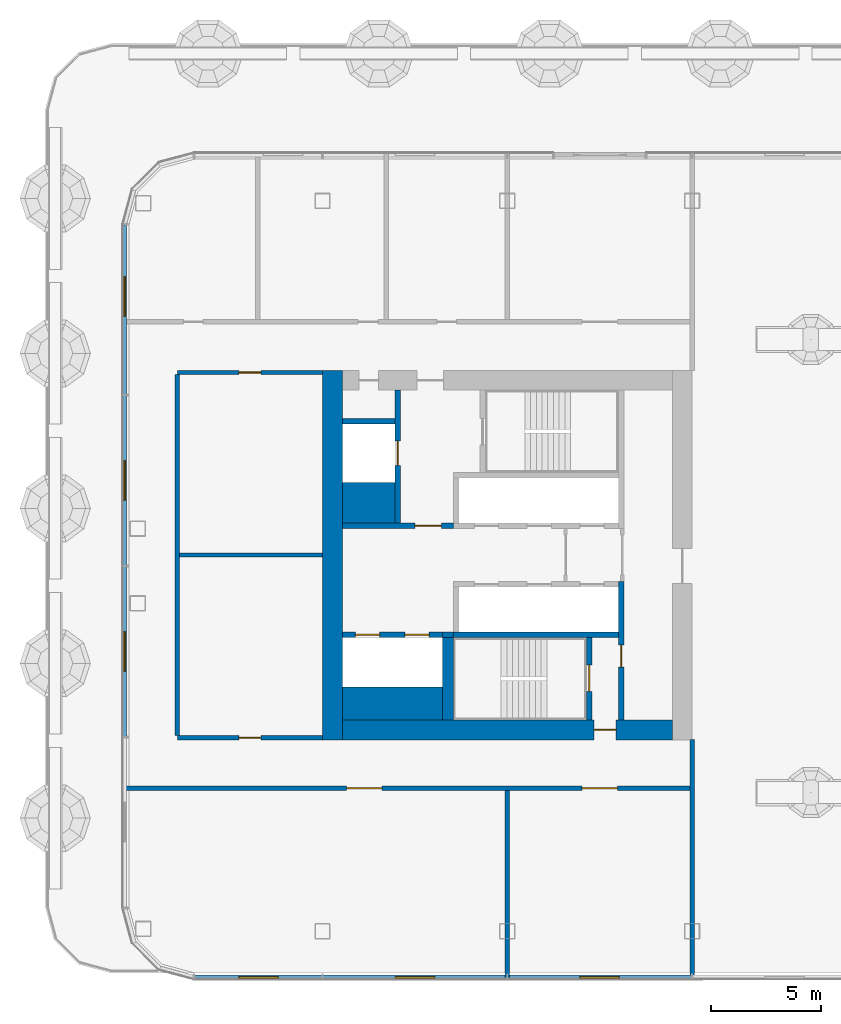
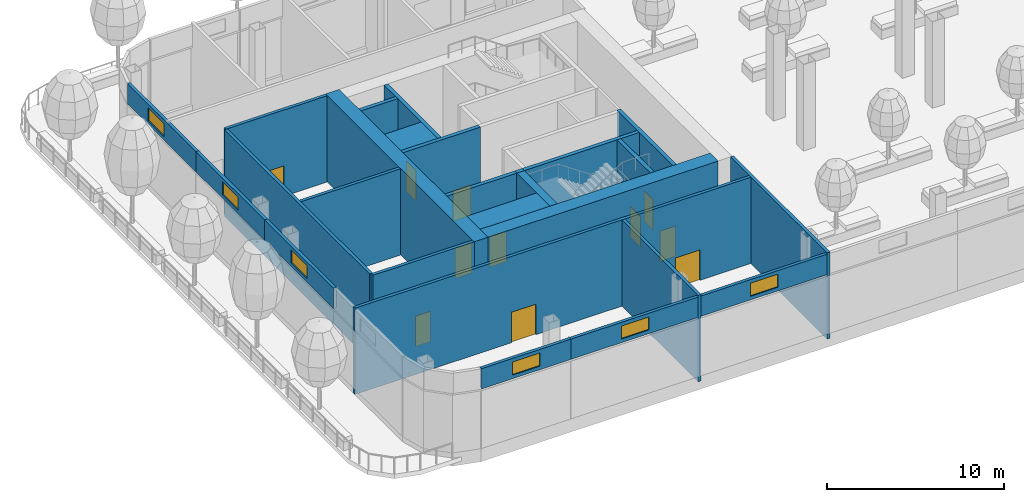
# One storey, part 12 of 43: 26 walls, 11 doors, 6 windows, 17 openings, 2 elements without a shape of their own.
"""IFC4 building model written with IfcOpenShell, lengths in metres."""

from ifc_helpers import new_model, si_unit, direction, frame, frame_2d, origin, place, context, subcontext, project, spatial, rectangle, extrude, material, layer, layer_set, type_object, element, fill, aggregate, save


model = new_model("IFC4")

# Units and contexts
model_context = context("Model", 3, precision=1e-05, world=origin(), true_north=direction((0.0, 1.0)))
body_context = subcontext(model_context, "Body", "Model", "MODEL_VIEW")
ifc_project = project(units=[si_unit("LENGTHUNIT", "METRE"), si_unit("AREAUNIT", "SQUARE_METRE"), si_unit("VOLUMEUNIT", "CUBIC_METRE"), si_unit("PLANEANGLEUNIT", "RADIAN"), si_unit("MASSUNIT", "GRAM", prefix="KILO")], contexts=[model_context])

# Site, building, storey
site_placement = place(None, origin())
site = spatial("IfcSite", under=ifc_project, at=site_placement, CompositionType="ELEMENT")
building_placement = place(site_placement, origin())
building = spatial("IfcBuilding", under=site, at=building_placement, Name="Hakoniwa Tower and Hamabe Station Hall", CompositionType="ELEMENT")
storey_placement = place(building_placement, frame((0.0, 0.0, 124.60009765625)))
storey = spatial("IfcBuildingStorey", under=building, at=storey_placement, Name="L35", CompositionType="ELEMENT", Elevation=124.60009765625)

# Wall
ifc_material_1 = material(Name="Concrete C66", Category="concrete")
ifc_layer_1 = layer(ifc_material_1, 0.89990234375)
ifc_layer_set_1 = layer_set([ifc_layer_1], Name="CORE WALL 900 C66")
wall_type_1 = type_object("IfcWallType", Name="CORE WALL 900 C66", PredefinedType="SHEAR", material=ifc_layer_set_1)
wall_1_placement = place(storey_placement, frame((-33.14990234375, -8.39990234375, 0.0), z_axis=(0.0, 0.0, 1.0), x_axis=(0.0, 1.0, 0.0)))
element("IfcWall", 1, at=wall_1_placement, inside=storey, type_object=wall_type_1, Name="Core wall OUTER west", PredefinedType="SHEAR", context=body_context, shape_type="SweptSolid", body=[
    extrude(rectangle(XDim=16.7998046875, YDim=0.89990234375, at=frame_2d((8.39990234375, 0.0))), origin(), (0.0, 0.0, 1.0), 5.949951171875),
])

# Wall, opening, door
wall_2_placement = place(storey_placement, frame((-32.699951171875, -7.949951171875, 0.0), z_axis=(0.0, 0.0, 1.0), x_axis=(1.0, 0.0, 0.0)))
wall_2 = element("IfcWall", 2, at=wall_2_placement, inside=storey, type_object=wall_type_1, Name="Core wall SOUTH west", PredefinedType="SHEAR", context=body_context, shape_type="SweptSolid", body=[
    extrude(rectangle(XDim=15.0, YDim=0.89990234375, at=frame_2d((7.5, 0.0))), origin(), (0.0, 0.0, 1.0), 5.949951171875),
])
opening_1_placement = place(wall_2_placement, frame((11.449951171875, 0.0, 0.0)))
opening_1 = element("IfcOpeningElement", 3, at=opening_1_placement, cuts=wall_2, Name="Opening CD-W-FS3-10", PredefinedType="OPENING", context=body_context, shape_type="SweptSolid", body=[
    extrude(rectangle(XDim=1.0, YDim=2.10009765625, at=frame_2d((0.5, 1.050048828125))), frame((0.0, 0.4599609375, 0.0), z_axis=(0.0, -1.0, 0.0), x_axis=(1.0, 0.0, 0.0)), (0.0, 0.0, 1.0), 0.919921875),
])
ifc_material_2 = material(Name="Steel fire door", Category="steel")
door_type_1 = type_object("IfcDoorType", Name="CORE DOOR 1000 FD60", OperationType="NOTDEFINED", PredefinedType="DOOR", material=ifc_material_2)
door_1_placement = place(opening_1_placement, origin())
door_1 = element("IfcDoor", 4, at=door_1_placement, inside=storey, type_object=door_type_1, Name="Stair vestibule door", OperationType="SINGLE_SWING_LEFT", OverallHeight=2.10009765625, OverallWidth=1.0, PredefinedType="DOOR", context=body_context, shape_type="SweptSolid", body=[
    extrude(rectangle(XDim=1.0, YDim=2.10009765625, at=frame_2d((0.5, 1.050048828125))), frame((0.0, 0.02490234375, 0.0), z_axis=(0.0, -1.0, 0.0), x_axis=(1.0, 0.0, 0.0)), (0.0, 0.0, 1.0), 0.050048828125),
])
fill(opening_1, door_1)

# Walls
ifc_material_3 = material(Name="Concrete C66", Category="concrete")
ifc_layer_2 = layer(ifc_material_3, 1.5)
ifc_layer_set_2 = layer_set([ifc_layer_2], Name="CORE WEB WALL 1500 C66")
wall_type_2 = type_object("IfcWallType", Name="CORE WEB WALL 1500 C66", PredefinedType="SHEAR", material=ifc_layer_set_2)
wall_3_placement = place(storey_placement, frame((-32.699951171875, -6.75, 0.0), z_axis=(0.0, 0.0, 1.0), x_axis=(1.0, 0.0, 0.0)))
element("IfcWall", 5, at=wall_3_placement, inside=storey, type_object=wall_type_2, Name="Core wall SER west", PredefinedType="SHEAR", context=body_context, shape_type="SweptSolid", body=[
    extrude(rectangle(XDim=4.550048828125, YDim=1.5, at=frame_2d((2.27490234375, 0.0))), origin(), (0.0, 0.0, 1.0), 5.949951171875),
])
ifc_material_4 = material(Name="Concrete C66", Category="concrete")
ifc_layer_3 = layer(ifc_material_4, 1.85009765625)
ifc_layer_set_3 = layer_set([ifc_layer_3], Name="CORE WEB WALL 1850 C66")
wall_type_3 = type_object("IfcWallType", Name="CORE WEB WALL 1850 C66", PredefinedType="SHEAR", material=ifc_layer_set_3)
wall_4_placement = place(storey_placement, frame((-32.699951171875, 2.375, 0.0), z_axis=(0.0, 0.0, 1.0), x_axis=(1.0, 0.0, 0.0)))
element("IfcWall", 6, at=wall_4_placement, inside=storey, type_object=wall_type_3, Name="Core wall CA west", PredefinedType="SHEAR", context=body_context, shape_type="SweptSolid", body=[
    extrude(rectangle(XDim=2.39990234375, YDim=1.85009765625, at=frame_2d((1.199951171875, 0.0))), origin(), (0.0, 0.0, 1.0), 5.949951171875),
])

# Wall, opening, door
ifc_material_5 = material(Name="Concrete C66", Category="concrete")
ifc_layer_4 = layer(ifc_material_5, 0.25)
ifc_layer_set_4 = layer_set([ifc_layer_4], Name="CORE WEB WALL 250 C66")
wall_type_4 = type_object("IfcWallType", Name="CORE WEB WALL 250 C66", PredefinedType="SHEAR", material=ifc_layer_set_4)
wall_5_placement = place(storey_placement, frame((-20.02490234375, -7.5, 0.0), z_axis=(0.0, 0.0, 1.0), x_axis=(0.0, 1.0, 0.0)))
wall_5 = element("IfcWall", 7, at=wall_5_placement, inside=storey, type_object=wall_type_4, Name="Core wall W1S west", PredefinedType="SHEAR", context=body_context, shape_type="SweptSolid", body=[
    extrude(rectangle(XDim=6.300048828125, YDim=0.25, at=frame_2d((3.14990234375, 0.0))), origin(), (0.0, 0.0, 1.0), 5.949951171875),
])
opening_2_placement = place(wall_5_placement, frame((2.39990234375, 0.0, 0.0)))
opening_2 = element("IfcOpeningElement", 8, at=opening_2_placement, cuts=wall_5, Name="Opening CD-W-VS-10", PredefinedType="OPENING", context=body_context, shape_type="SweptSolid", body=[
    extrude(rectangle(XDim=1.0, YDim=2.10009765625, at=frame_2d((0.5, 1.050048828125))), frame((0.0, 0.135009765625, 0.0), z_axis=(0.0, -1.0, 0.0), x_axis=(1.0, 0.0, 0.0)), (0.0, 0.0, 1.0), 0.27001953125),
])
door_2_placement = place(opening_2_placement, origin())
door_2 = element("IfcDoor", 9, at=door_2_placement, inside=storey, type_object=door_type_1, Name="Stair vestibule door", OperationType="SINGLE_SWING_LEFT", OverallHeight=2.10009765625, OverallWidth=1.0, PredefinedType="DOOR", context=body_context, shape_type="SweptSolid", body=[
    extrude(rectangle(XDim=1.0, YDim=2.10009765625, at=frame_2d((0.5, 1.050048828125))), frame((0.0, 0.02490234375, 0.0), z_axis=(0.0, -1.0, 0.0), x_axis=(1.0, 0.0, 0.0)), (0.0, 0.0, 1.0), 0.050048828125),
])
fill(opening_2, door_2)

wall_6_placement = place(storey_placement, frame((-32.699951171875, 1.324951171875, 0.0), z_axis=(0.0, 0.0, 1.0), x_axis=(1.0, 0.0, 0.0)))
wall_6 = element("IfcWall", 10, at=wall_6_placement, inside=storey, type_object=wall_type_4, Name="Core wall ELN west", PredefinedType="SHEAR", context=body_context, shape_type="SweptSolid", body=[
    extrude(rectangle(XDim=5.050048828125, YDim=0.25, at=frame_2d((2.52490234375, 0.0))), origin(), (0.0, 0.0, 1.0), 5.949951171875),
])
opening_3_placement = place(wall_6_placement, frame((3.300048828125, 0.0, 0.0)))
opening_3 = element("IfcOpeningElement", 11, at=opening_3_placement, cuts=wall_6, Name="Opening CD-W-FL-12", PredefinedType="OPENING", context=body_context, shape_type="SweptSolid", body=[
    extrude(rectangle(XDim=1.199951171875, YDim=2.10009765625, at=frame_2d((0.60009765625, 1.050048828125))), frame((0.0, 0.135009765625, 0.0), z_axis=(0.0, -1.0, 0.0), x_axis=(1.0, 0.0, 0.0)), (0.0, 0.0, 1.0), 0.27001953125),
])
ifc_material_6 = material(Name="Steel fire door", Category="steel")
door_type_2 = type_object("IfcDoorType", Name="CORE DOOR 1200 FD60", OperationType="DOUBLE_DOOR_SINGLE_SWING", PredefinedType="DOOR", material=ifc_material_6)
door_3_placement = place(opening_3_placement, origin())
door_3 = element("IfcDoor", 12, at=door_3_placement, inside=storey, type_object=door_type_2, Name="Stair vestibule door to the fire-fighting lobby", OperationType="DOUBLE_DOOR_SINGLE_SWING", OverallHeight=2.10009765625, OverallWidth=1.199951171875, PredefinedType="DOOR", context=body_context, shape_type="SweptSolid", body=[
    extrude(rectangle(XDim=1.199951171875, YDim=2.10009765625, at=frame_2d((0.60009765625, 1.050048828125))), frame((0.0, 0.02490234375, 0.0), z_axis=(0.0, -1.0, 0.0), x_axis=(1.0, 0.0, 0.0)), (0.0, 0.0, 1.0), 0.050048828125),
])
fill(opening_3, door_3)

wall_7_placement = place(storey_placement, frame((-30.175048828125, 1.449951171875, 0.0), z_axis=(0.0, 0.0, 1.0), x_axis=(0.0, 1.0, 0.0)))
wall_7 = element("IfcWall", 13, at=wall_7_placement, inside=storey, type_object=wall_type_4, Name="Core wall FFF west", PredefinedType="SHEAR", context=body_context, shape_type="SweptSolid", body=[
    extrude(rectangle(XDim=6.050048828125, YDim=0.25, at=frame_2d((3.02490234375, 0.0))), origin(), (0.0, 0.0, 1.0), 5.949951171875),
])
opening_4_placement = place(wall_7_placement, frame((2.625, 0.0, 0.0)))
opening_4 = element("IfcOpeningElement", 14, at=opening_4_placement, cuts=wall_7, Name="Opening LD-FF1", PredefinedType="OPENING", context=body_context, shape_type="SweptSolid", body=[
    extrude(rectangle(XDim=1.10009765625, YDim=2.10009765625, at=frame_2d((0.550048828125, 1.050048828125))), frame((0.0, 0.135009765625, 0.0), z_axis=(0.0, -1.0, 0.0), x_axis=(1.0, 0.0, 0.0)), (0.0, 0.0, 1.0), 0.27001953125),
])
ifc_material_7 = material(Name="Stainless steel SUS304", Category="steel")
door_type_3 = type_object("IfcDoorType", Name="LIFT LANDING DOOR 1100 FD60", OperationType="DOUBLE_DOOR_SLIDING", PredefinedType="DOOR", material=ifc_material_7)
door_4_placement = place(opening_4_placement, origin())
door_4 = element("IfcDoor", 15, at=door_4_placement, inside=storey, type_object=door_type_3, Name="Lift landing door FF1 L35", OperationType="DOUBLE_DOOR_SLIDING", OverallHeight=2.10009765625, OverallWidth=1.10009765625, PredefinedType="DOOR", context=body_context, shape_type="SweptSolid", body=[
    extrude(rectangle(XDim=1.10009765625, YDim=2.10009765625, at=frame_2d((0.550048828125, 1.050048828125))), frame((0.0, 0.02490234375, 0.0), z_axis=(0.0, -1.0, 0.0), x_axis=(1.0, 0.0, 0.0)), (0.0, 0.0, 1.0), 0.050048828125),
])
fill(opening_4, door_4)

# Walls
wall_8_placement = place(storey_placement, frame((-32.699951171875, 6.074951171875, 0.0), z_axis=(0.0, 0.0, 1.0), x_axis=(1.0, 0.0, 0.0)))
element("IfcWall", 16, at=wall_8_placement, inside=storey, type_object=wall_type_4, Name="Core wall C2 west", PredefinedType="SHEAR", context=body_context, shape_type="SweptSolid", body=[
    extrude(rectangle(XDim=2.39990234375, YDim=0.25, at=frame_2d((1.199951171875, 0.0))), origin(), (0.0, 0.0, 1.0), 5.949951171875),
])
wall_9_placement = place(storey_placement, frame((-27.64990234375, -3.625, 0.0), z_axis=(0.0, 0.0, 1.0), x_axis=(1.0, 0.0, 0.0)))
element("IfcWall", 17, at=wall_9_placement, inside=storey, type_object=wall_type_4, Name="Core wall SR west", PredefinedType="SHEAR", context=body_context, shape_type="SweptSolid", body=[
    extrude(rectangle(XDim=7.5, YDim=0.25, at=frame_2d((3.75, 0.0))), origin(), (0.0, 0.0, 1.0), 5.949951171875),
])

# Wall, opening, door
wall_10_placement = place(storey_placement, frame((-21.47509765625, -7.5, 0.0), z_axis=(0.0, 0.0, 1.0), x_axis=(0.0, 1.0, 0.0)))
wall_10 = element("IfcWall", 18, at=wall_10_placement, inside=storey, type_object=wall_type_4, Name="Core wall VE west", PredefinedType="SHEAR", context=body_context, shape_type="SweptSolid", body=[
    extrude(rectangle(XDim=3.75, YDim=0.25, at=frame_2d((1.875, 0.0))), origin(), (0.0, 0.0, 1.0), 5.949951171875),
])
opening_5_placement = place(wall_10_placement, frame((1.300048828125, 0.0, 0.0)))
opening_5 = element("IfcOpeningElement", 19, at=opening_5_placement, cuts=wall_10, Name="Opening CD-W-SS-12", PredefinedType="OPENING", context=body_context, shape_type="SweptSolid", body=[
    extrude(rectangle(XDim=1.199951171875, YDim=2.10009765625, at=frame_2d((0.60009765625, 1.050048828125))), frame((0.0, 0.135009765625, 0.0), z_axis=(0.0, -1.0, 0.0), x_axis=(1.0, 0.0, 0.0)), (0.0, 0.0, 1.0), 0.27001953125),
])
door_5_placement = place(opening_5_placement, origin())
door_5 = element("IfcDoor", 20, at=door_5_placement, inside=storey, type_object=door_type_2, Name="Escape stair door", OperationType="DOUBLE_DOOR_SINGLE_SWING", OverallHeight=2.10009765625, OverallWidth=1.199951171875, PredefinedType="DOOR", context=body_context, shape_type="SweptSolid", body=[
    extrude(rectangle(XDim=1.199951171875, YDim=2.10009765625, at=frame_2d((0.60009765625, 1.050048828125))), frame((0.0, 0.02490234375, 0.0), z_axis=(0.0, -1.0, 0.0), x_axis=(1.0, 0.0, 0.0)), (0.0, 0.0, 1.0), 0.050048828125),
])
fill(opening_5, door_5)

# Wall, openings, doors
wall_11_placement = place(storey_placement, frame((-32.699951171875, -3.625, 0.0), z_axis=(0.0, 0.0, 1.0), x_axis=(1.0, 0.0, 0.0)))
wall_11 = element("IfcWall", 21, at=wall_11_placement, inside=storey, type_object=wall_type_4, Name="Core wall SEF west", PredefinedType="SHEAR", context=body_context, shape_type="SweptSolid", body=[
    extrude(rectangle(XDim=4.550048828125, YDim=0.25, at=frame_2d((2.27490234375, 0.0))), origin(), (0.0, 0.0, 1.0), 5.949951171875),
])
opening_6_placement = place(wall_11_placement, frame((2.85009765625, 0.0, 0.0)))
opening_6 = element("IfcOpeningElement", 22, at=opening_6_placement, cuts=wall_11, Name="Opening LD-SV1", PredefinedType="OPENING", context=body_context, shape_type="SweptSolid", body=[
    extrude(rectangle(XDim=1.10009765625, YDim=2.10009765625, at=frame_2d((0.550048828125, 1.050048828125))), frame((0.0, 0.135009765625, 0.0), z_axis=(0.0, -1.0, 0.0), x_axis=(1.0, 0.0, 0.0)), (0.0, 0.0, 1.0), 0.27001953125),
])
opening_7_placement = place(wall_11_placement, frame((0.60009765625, 0.0, 0.0)))
opening_7 = element("IfcOpeningElement", 23, at=opening_7_placement, cuts=wall_11, Name="Opening LD-SV2", PredefinedType="OPENING", context=body_context, shape_type="SweptSolid", body=[
    extrude(rectangle(XDim=1.10009765625, YDim=2.10009765625, at=frame_2d((0.550048828125, 1.050048828125))), frame((0.0, 0.135009765625, 0.0), z_axis=(0.0, -1.0, 0.0), x_axis=(1.0, 0.0, 0.0)), (0.0, 0.0, 1.0), 0.27001953125),
])
door_6_placement = place(opening_6_placement, origin())
door_6 = element("IfcDoor", 24, at=door_6_placement, inside=storey, type_object=door_type_3, Name="Lift landing door SV1 L35", OperationType="DOUBLE_DOOR_SLIDING", OverallHeight=2.10009765625, OverallWidth=1.10009765625, PredefinedType="DOOR", context=body_context, shape_type="SweptSolid", body=[
    extrude(rectangle(XDim=1.10009765625, YDim=2.10009765625, at=frame_2d((0.550048828125, 1.050048828125))), frame((0.0, 0.02490234375, 0.0), z_axis=(0.0, -1.0, 0.0), x_axis=(1.0, 0.0, 0.0)), (0.0, 0.0, 1.0), 0.050048828125),
])
fill(opening_6, door_6)
door_7_placement = place(opening_7_placement, origin())
door_7 = element("IfcDoor", 25, at=door_7_placement, inside=storey, type_object=door_type_3, Name="Lift landing door SV2 L35", OperationType="DOUBLE_DOOR_SLIDING", OverallHeight=2.10009765625, OverallWidth=1.10009765625, PredefinedType="DOOR", context=body_context, shape_type="SweptSolid", body=[
    extrude(rectangle(XDim=1.10009765625, YDim=2.10009765625, at=frame_2d((0.550048828125, 1.050048828125))), frame((0.0, 0.02490234375, 0.0), z_axis=(0.0, -1.0, 0.0), x_axis=(1.0, 0.0, 0.0)), (0.0, 0.0, 1.0), 0.050048828125),
])
fill(opening_7, door_7)

# Walls
wall_12_placement = place(storey_placement, frame((-28.14990234375, -3.625, 0.0), z_axis=(0.0, 0.0, 1.0), x_axis=(1.0, 0.0, 0.0)))
element("IfcWall", 26, at=wall_12_placement, inside=storey, type_object=wall_type_4, Name="Core wall SRK west", PredefinedType="SHEAR", context=body_context, shape_type="SweptSolid", body=[
    extrude(rectangle(XDim=0.5, YDim=0.25, at=frame_2d((0.25, 0.0))), origin(), (0.0, 0.0, 1.0), 5.949951171875),
])
ifc_material_8 = material(Name="Concrete C66", Category="concrete")
ifc_layer_5 = layer(ifc_material_8, 0.5)
ifc_layer_set_5 = layer_set([ifc_layer_5], Name="CORE WEB WALL 500 C66")
wall_type_5 = type_object("IfcWallType", Name="CORE WEB WALL 500 C66", PredefinedType="SHEAR", material=ifc_layer_set_5)
wall_13_placement = place(storey_placement, frame((-27.89990234375, -7.5, 0.0), z_axis=(0.0, 0.0, 1.0), x_axis=(0.0, 1.0, 0.0)))
element("IfcWall", 27, at=wall_13_placement, inside=storey, type_object=wall_type_5, Name="Core wall SSE west", PredefinedType="SHEAR", context=body_context, shape_type="SweptSolid", body=[
    extrude(rectangle(XDim=3.75, YDim=0.5, at=frame_2d((1.875, 0.0))), origin(), (0.0, 0.0, 1.0), 5.949951171875),
])

# Wall, openings, doors
ifc_material_9 = material(Name="Fire-rated gypsum board partition", Category="gypsum")
ifc_layer_6 = layer(ifc_material_9, 0.199951171875)
ifc_layer_set_6 = layer_set([ifc_layer_6], Name="Corridor Wall 200")
wall_type_6 = type_object("IfcWallType", Name="Corridor Wall 200", PredefinedType="PARTITIONING", material=ifc_layer_set_6)
wall_14_placement = place(storey_placement, frame((-42.699951171875, -10.60009765625, 0.0), z_axis=(0.0, 0.0, 1.0), x_axis=(1.0, 0.0, 0.0)))
wall_14 = element("IfcWall", 28, at=wall_14_placement, inside=storey, type_object=wall_type_6, Name="GW-L35-001", PredefinedType="PARTITIONING", context=body_context, shape_type="SweptSolid", body=[
    extrude(rectangle(XDim=25.89990234375, YDim=0.199951171875, at=frame_2d((12.949951171875, 0.0))), origin(), (0.0, 0.0, 1.0), 5.949951171875),
])
opening_8_placement = place(wall_14_placement, frame((10.199951171875, 0.0, 0.0)))
opening_8 = element("IfcOpeningElement", 29, at=opening_8_placement, cuts=wall_14, Name="Opening GD-SL35-01", PredefinedType="OPENING", context=body_context, shape_type="SweptSolid", body=[
    extrude(rectangle(XDim=1.60009765625, YDim=2.10009765625, at=frame_2d((0.800048828125, 1.050048828125))), frame((0.0, 0.10986328125, 0.0), z_axis=(0.0, -1.0, 0.0), x_axis=(1.0, 0.0, 0.0)), (0.0, 0.0, 1.0), 0.219970703125),
])
opening_9_placement = place(wall_14_placement, frame((20.89990234375, 0.0, 0.0)))
opening_9 = element("IfcOpeningElement", 30, at=opening_9_placement, cuts=wall_14, Name="Opening GD-SL35-02", PredefinedType="OPENING", context=body_context, shape_type="SweptSolid", body=[
    extrude(rectangle(XDim=1.60009765625, YDim=2.10009765625, at=frame_2d((0.800048828125, 1.050048828125))), frame((0.0, 0.10986328125, 0.0), z_axis=(0.0, -1.0, 0.0), x_axis=(1.0, 0.0, 0.0)), (0.0, 0.0, 1.0), 0.219970703125),
])
ifc_material_10 = material(Name="Timber door leaf", Category="wood")
door_type_4 = type_object("IfcDoorType", Name="Double Door 1600", OperationType="DOUBLE_DOOR_SINGLE_SWING", PredefinedType="DOOR", material=ifc_material_10)
door_8_placement = place(opening_8_placement, origin())
door_8 = element("IfcDoor", 31, at=door_8_placement, inside=storey, type_object=door_type_4, Name="Door GD-SL35-01", OperationType="DOUBLE_DOOR_SINGLE_SWING", OverallHeight=2.10009765625, OverallWidth=1.60009765625, PredefinedType="DOOR", context=body_context, shape_type="SweptSolid", body=[
    extrude(rectangle(XDim=1.60009765625, YDim=2.10009765625, at=frame_2d((0.800048828125, 1.050048828125))), frame((0.0, 0.02490234375, 0.0), z_axis=(0.0, -1.0, 0.0), x_axis=(1.0, 0.0, 0.0)), (0.0, 0.0, 1.0), 0.050048828125),
])
fill(opening_8, door_8)
door_9_placement = place(opening_9_placement, origin())
door_9 = element("IfcDoor", 32, at=door_9_placement, inside=storey, type_object=door_type_4, Name="Door GD-SL35-02", OperationType="DOUBLE_DOOR_SINGLE_SWING", OverallHeight=2.10009765625, OverallWidth=1.60009765625, PredefinedType="DOOR", context=body_context, shape_type="SweptSolid", body=[
    extrude(rectangle(XDim=1.60009765625, YDim=2.10009765625, at=frame_2d((0.800048828125, 1.050048828125))), frame((0.0, 0.02490234375, 0.0), z_axis=(0.0, -1.0, 0.0), x_axis=(1.0, 0.0, 0.0)), (0.0, 0.0, 1.0), 0.050048828125),
])
fill(opening_9, door_9)

# Wall, opening, door
wall_15_placement = place(storey_placement, frame((-40.199951171875, -8.300048828125, 0.0), z_axis=(0.0, 0.0, 1.0), x_axis=(1.0, 0.0, 0.0)))
wall_15 = element("IfcWall", 33, at=wall_15_placement, inside=storey, type_object=wall_type_6, Name="GW-L35-003", PredefinedType="PARTITIONING", context=body_context, shape_type="SweptSolid", body=[
    extrude(rectangle(XDim=6.599853515625, YDim=0.199951171875, at=frame_2d((3.2998046875, 0.0))), origin(), (0.0, 0.0, 1.0), 5.949951171875),
])
opening_10_placement = place(wall_15_placement, frame((2.800048828125, 0.0, 0.0)))
opening_10 = element("IfcOpeningElement", 34, at=opening_10_placement, cuts=wall_15, Name="Opening GD-SL35-07", PredefinedType="OPENING", context=body_context, shape_type="SweptSolid", body=[
    extrude(rectangle(XDim=1.0, YDim=2.10009765625, at=frame_2d((0.5, 1.050048828125))), frame((0.0, 0.10986328125, 0.0), z_axis=(0.0, -1.0, 0.0), x_axis=(1.0, 0.0, 0.0)), (0.0, 0.0, 1.0), 0.219970703125),
])
ifc_material_11 = material(Name="Timber door leaf", Category="wood")
door_type_5 = type_object("IfcDoorType", Name="Guest Entrance Door 1000", OperationType="SINGLE_SWING_LEFT", PredefinedType="DOOR", material=ifc_material_11)
door_10_placement = place(opening_10_placement, origin())
door_10 = element("IfcDoor", 35, at=door_10_placement, inside=storey, type_object=door_type_5, Name="Door GD-SL35-07", OperationType="SINGLE_SWING_RIGHT", OverallHeight=2.10009765625, OverallWidth=1.0, PredefinedType="DOOR", context=body_context, shape_type="SweptSolid", body=[
    extrude(rectangle(XDim=1.0, YDim=2.10009765625, at=frame_2d((0.5, 1.050048828125))), frame((0.0, 0.02490234375, 0.0), z_axis=(0.0, -1.0, 0.0), x_axis=(1.0, 0.0, 0.0)), (0.0, 0.0, 1.0), 0.050048828125),
])
fill(opening_10, door_10)

wall_16_placement = place(storey_placement, frame((-40.199951171875, 8.300048828125, 0.0), z_axis=(0.0, 0.0, 1.0), x_axis=(1.0, 0.0, 0.0)))
wall_16 = element("IfcWall", 36, at=wall_16_placement, inside=storey, type_object=wall_type_6, Name="GW-L35-007", PredefinedType="PARTITIONING", context=body_context, shape_type="SweptSolid", body=[
    extrude(rectangle(XDim=6.599853515625, YDim=0.199951171875, at=frame_2d((3.2998046875, 0.0))), origin(), (0.0, 0.0, 1.0), 5.949951171875),
])
opening_11_placement = place(wall_16_placement, frame((2.800048828125, 0.0, 0.0)))
opening_11 = element("IfcOpeningElement", 37, at=opening_11_placement, cuts=wall_16, Name="Opening GD-SL35-09", PredefinedType="OPENING", context=body_context, shape_type="SweptSolid", body=[
    extrude(rectangle(XDim=1.0, YDim=2.10009765625, at=frame_2d((0.5, 1.050048828125))), frame((0.0, 0.10986328125, 0.0), z_axis=(0.0, -1.0, 0.0), x_axis=(1.0, 0.0, 0.0)), (0.0, 0.0, 1.0), 0.219970703125),
])
door_11_placement = place(opening_11_placement, origin())
door_11 = element("IfcDoor", 38, at=door_11_placement, inside=storey, type_object=door_type_5, Name="Door GD-SL35-09", OperationType="SINGLE_SWING_LEFT", OverallHeight=2.10009765625, OverallWidth=1.0, PredefinedType="DOOR", context=body_context, shape_type="SweptSolid", body=[
    extrude(rectangle(XDim=1.0, YDim=2.10009765625, at=frame_2d((0.5, 1.050048828125))), frame((0.0, 0.02490234375, 0.0), z_axis=(0.0, -1.0, 0.0), x_axis=(1.0, 0.0, 0.0)), (0.0, 0.0, 1.0), 0.050048828125),
])
fill(opening_11, door_11)

# Walls
ifc_material_12 = material(Name="Fire-rated gypsum board partition", Category="gypsum")
ifc_layer_7 = layer(ifc_material_12, 0.199951171875)
ifc_layer_set_7 = layer_set([ifc_layer_7], Name="Party Wall 200")
wall_type_7 = type_object("IfcWallType", Name="Party Wall 200", PredefinedType="PARTITIONING", material=ifc_layer_set_7)
wall_17_placement = place(storey_placement, frame((-40.10009765625, 0.0, 0.0), z_axis=(0.0, 0.0, 1.0), x_axis=(1.0, 0.0, 0.0)))
element("IfcWall", 39, at=wall_17_placement, inside=storey, type_object=wall_type_7, Name="GW-L35-005", PredefinedType="PARTITIONING", context=body_context, shape_type="SweptSolid", body=[
    extrude(rectangle(XDim=6.5, YDim=0.199951171875, at=frame_2d((3.25, 0.0))), origin(), (0.0, 0.0, 1.0), 5.949951171875),
])
wall_18_placement = place(storey_placement, frame((-40.199951171875, -8.199951171875, 0.0), z_axis=(0.0, 0.0, 1.0), x_axis=(0.0, 1.0, 0.0)))
element("IfcWall", 40, at=wall_18_placement, inside=storey, type_object=wall_type_7, Name="GW-L35-012", PredefinedType="PARTITIONING", context=body_context, shape_type="SweptSolid", body=[
    extrude(rectangle(XDim=16.39990234375, YDim=0.199951171875, at=frame_2d((8.199951171875, 0.0))), origin(), (0.0, 0.0, 1.0), 5.949951171875),
])
wall_19_placement = place(storey_placement, frame((-25.199951171875, -19.300048828125, 0.0), z_axis=(0.0, 0.0, 1.0), x_axis=(0.0, 1.0, 0.0)))
element("IfcWall", 41, at=wall_19_placement, inside=storey, type_object=wall_type_7, Name="GW-L35-015", PredefinedType="PARTITIONING", context=body_context, shape_type="SweptSolid", body=[
    extrude(rectangle(XDim=8.60009765625, YDim=0.199951171875, at=frame_2d((4.300048828125, 0.0))), origin(), (0.0, 0.0, 1.0), 5.949951171875),
])
wall_20_placement = place(storey_placement, frame((-16.800048828125, -19.300048828125, 0.0), z_axis=(0.0, 0.0, 1.0), x_axis=(0.0, 1.0, 0.0)))
element("IfcWall", 42, at=wall_20_placement, inside=storey, type_object=wall_type_7, Name="GW-L35-017", PredefinedType="PARTITIONING", context=body_context, shape_type="SweptSolid", body=[
    extrude(rectangle(XDim=10.91015625, YDim=0.199951171875, at=frame_2d((5.455078125, 0.0))), origin(), (0.0, 0.0, 1.0), 5.949951171875),
])

# Curtain wall, walls, openings, windows
ifc_material_13 = material(Name="Dark low-e laminated glass", Category="glass")
ifc_layer_8 = layer(ifc_material_13, 0.199951171875)
ifc_layer_set_8 = layer_set([ifc_layer_8], Name="CW-2 SKY GARDEN")
curtain_wall_type = type_object("IfcCurtainWallType", Name="CW-2 SKY GARDEN", PredefinedType="NOTDEFINED", material=ifc_layer_set_8)
curtain_wall_1_placement = place(storey_placement, origin())
curtain_wall_1 = element("IfcCurtainWall", 43, at=curtain_wall_1_placement, inside=storey, type_object=curtain_wall_type, Name="CW-2 curtain wall", PredefinedType="NOTDEFINED")
ifc_material_14 = material(Name="Dark glass-faced aluminium panel", Category="aluminium")
ifc_layer_9 = layer(ifc_material_14, 0.199951171875)
ifc_layer_set_9 = layer_set([ifc_layer_9], Name="VENT BAND WALL")
wall_type_8 = type_object("IfcWallType", Name="VENT BAND WALL", PredefinedType="NOTDEFINED", material=ifc_layer_set_9)
wall_21_placement = place(storey_placement, frame((-42.60009765625, 15.009521484375, 4.449951171875), z_axis=(0.0, 0.0, 1.0), x_axis=(0.0, -1.0, 0.0)))
wall_21 = element("IfcWall", 44, at=wall_21_placement, type_object=wall_type_8, Name="Vent band wall", PredefinedType="NOTDEFINED", context=body_context, shape_type="SweptSolid", body=[
    extrude(rectangle(XDim=7.73974609375, YDim=0.199951171875, at=frame_2d((3.869873046875, 0.0))), origin(), (0.0, 0.0, 1.0), 1.39990234375),
])
opening_12_placement = place(wall_21_placement, frame((2.359375, 0.0, 0.25)))
opening_12 = element("IfcOpeningElement", 45, at=opening_12_placement, cuts=wall_21, Name="Opening VW-1", PredefinedType="OPENING", context=body_context, shape_type="SweptSolid", body=[
    extrude(rectangle(XDim=1.800048828125, YDim=0.89990234375, at=frame_2d((0.89990234375, 0.449951171875))), frame((0.0, 0.10986328125, 0.0), z_axis=(0.0, -1.0, 0.0), x_axis=(1.0, 0.0, 0.0)), (0.0, 0.0, 1.0), 0.219970703125),
])
ifc_material_15 = material(Name="Dark low-e laminated glass", Category="glass")
window_type = type_object("IfcWindowType", Name="VENT WINDOW 1800X900", PartitioningType="SINGLE_PANEL", PredefinedType="WINDOW", material=ifc_material_15)
window_1_placement = place(opening_12_placement, origin())
window_1 = element("IfcWindow", 46, at=window_1_placement, inside=storey, type_object=window_type, Name="Vent window", OverallHeight=0.89990234375, OverallWidth=1.800048828125, PartitioningType="SINGLE_PANEL", PredefinedType="WINDOW", context=body_context, shape_type="SweptSolid", body=[
    extrude(rectangle(XDim=1.800048828125, YDim=0.89990234375, at=frame_2d((0.89990234375, 0.449951171875))), frame((0.0, 0.030029296875, 0.0), z_axis=(0.0, -1.0, 0.0), x_axis=(1.0, 0.0, 0.0)), (0.0, 0.0, 1.0), 0.06005859375),
])
fill(opening_12, window_1)
wall_22_placement = place(storey_placement, frame((-42.60009765625, 7.269775390625, 4.449951171875), z_axis=(0.0, 0.0, 1.0), x_axis=(0.0, -1.0, 0.0)))
wall_22 = element("IfcWall", 47, at=wall_22_placement, type_object=wall_type_8, Name="Vent band wall", PredefinedType="NOTDEFINED", context=body_context, shape_type="SweptSolid", body=[
    extrude(rectangle(XDim=7.769775390625, YDim=0.199951171875, at=frame_2d((3.884765625, 0.0))), origin(), (0.0, 0.0, 1.0), 1.39990234375),
])
opening_13_placement = place(wall_22_placement, frame((2.98486328125, 0.0, 0.25)))
opening_13 = element("IfcOpeningElement", 48, at=opening_13_placement, cuts=wall_22, Name="Opening VW-1", PredefinedType="OPENING", context=body_context, shape_type="SweptSolid", body=[
    extrude(rectangle(XDim=1.800048828125, YDim=0.89990234375, at=frame_2d((0.89990234375, 0.449951171875))), frame((0.0, 0.10986328125, 0.0), z_axis=(0.0, -1.0, 0.0), x_axis=(1.0, 0.0, 0.0)), (0.0, 0.0, 1.0), 0.219970703125),
])
window_2_placement = place(opening_13_placement, origin())
window_2 = element("IfcWindow", 49, at=window_2_placement, inside=storey, type_object=window_type, Name="Vent window", OverallHeight=0.89990234375, OverallWidth=1.800048828125, PartitioningType="SINGLE_PANEL", PredefinedType="WINDOW", context=body_context, shape_type="SweptSolid", body=[
    extrude(rectangle(XDim=1.800048828125, YDim=0.89990234375, at=frame_2d((0.89990234375, 0.449951171875))), frame((0.0, 0.030029296875, 0.0), z_axis=(0.0, -1.0, 0.0), x_axis=(1.0, 0.0, 0.0)), (0.0, 0.0, 1.0), 0.06005859375),
])
fill(opening_13, window_2)
wall_23_placement = place(storey_placement, frame((-42.60009765625, -0.5, 4.449951171875), z_axis=(0.0, 0.0, 1.0), x_axis=(0.0, -1.0, 0.0)))
wall_23 = element("IfcWall", 50, at=wall_23_placement, type_object=wall_type_8, Name="Vent band wall", PredefinedType="NOTDEFINED", context=body_context, shape_type="SweptSolid", body=[
    extrude(rectangle(XDim=7.769775390625, YDim=0.199951171875, at=frame_2d((3.884765625, 0.0))), origin(), (0.0, 0.0, 1.0), 1.39990234375),
])
opening_14_placement = place(wall_23_placement, frame((2.98486328125, 0.0, 0.25)))
opening_14 = element("IfcOpeningElement", 51, at=opening_14_placement, cuts=wall_23, Name="Opening VW-1", PredefinedType="OPENING", context=body_context, shape_type="SweptSolid", body=[
    extrude(rectangle(XDim=1.800048828125, YDim=0.89990234375, at=frame_2d((0.89990234375, 0.449951171875))), frame((0.0, 0.10986328125, 0.0), z_axis=(0.0, -1.0, 0.0), x_axis=(1.0, 0.0, 0.0)), (0.0, 0.0, 1.0), 0.219970703125),
])
window_3_placement = place(opening_14_placement, origin())
window_3 = element("IfcWindow", 52, at=window_3_placement, inside=storey, type_object=window_type, Name="Vent window", OverallHeight=0.89990234375, OverallWidth=1.800048828125, PartitioningType="SINGLE_PANEL", PredefinedType="WINDOW", context=body_context, shape_type="SweptSolid", body=[
    extrude(rectangle(XDim=1.800048828125, YDim=0.89990234375, at=frame_2d((0.89990234375, 0.449951171875))), frame((0.0, 0.030029296875, 0.0), z_axis=(0.0, -1.0, 0.0), x_axis=(1.0, 0.0, 0.0)), (0.0, 0.0, 1.0), 0.06005859375),
])
fill(opening_14, window_3)
aggregate(curtain_wall_1, [wall_21, wall_22, wall_23])

curtain_wall_2_placement = place(storey_placement, origin())
curtain_wall_2 = element("IfcCurtainWall", 53, at=curtain_wall_2_placement, inside=storey, type_object=curtain_wall_type, Name="CW-2 curtain wall", PredefinedType="NOTDEFINED")
wall_24_placement = place(storey_placement, frame((-39.409423828125, -19.199951171875, 4.449951171875), z_axis=(0.0, 0.0, 1.0), x_axis=(1.0, 0.0, 0.0)))
wall_24 = element("IfcWall", 54, at=wall_24_placement, type_object=wall_type_8, Name="Vent band wall", PredefinedType="NOTDEFINED", context=body_context, shape_type="SweptSolid", body=[
    extrude(rectangle(XDim=5.809326171875, YDim=0.199951171875, at=frame_2d((2.90478515625, 0.0))), origin(), (0.0, 0.0, 1.0), 1.39990234375),
])
opening_15_placement = place(wall_24_placement, frame((2.004638671875, 0.0, 0.25)))
opening_15 = element("IfcOpeningElement", 55, at=opening_15_placement, cuts=wall_24, Name="Opening VW-1", PredefinedType="OPENING", context=body_context, shape_type="SweptSolid", body=[
    extrude(rectangle(XDim=1.800048828125, YDim=0.89990234375, at=frame_2d((0.89990234375, 0.449951171875))), frame((0.0, 0.10986328125, 0.0), z_axis=(0.0, -1.0, 0.0), x_axis=(1.0, 0.0, 0.0)), (0.0, 0.0, 1.0), 0.219970703125),
])
window_4_placement = place(opening_15_placement, origin())
window_4 = element("IfcWindow", 56, at=window_4_placement, inside=storey, type_object=window_type, Name="Vent window", OverallHeight=0.89990234375, OverallWidth=1.800048828125, PartitioningType="SINGLE_PANEL", PredefinedType="WINDOW", context=body_context, shape_type="SweptSolid", body=[
    extrude(rectangle(XDim=1.800048828125, YDim=0.89990234375, at=frame_2d((0.89990234375, 0.449951171875))), frame((0.0, 0.030029296875, 0.0), z_axis=(0.0, -1.0, 0.0), x_axis=(1.0, 0.0, 0.0)), (0.0, 0.0, 1.0), 0.06005859375),
])
fill(opening_15, window_4)
wall_25_placement = place(storey_placement, frame((-33.60009765625, -19.199951171875, 4.449951171875), z_axis=(0.0, 0.0, 1.0), x_axis=(1.0, 0.0, 0.0)))
wall_25 = element("IfcWall", 57, at=wall_25_placement, type_object=wall_type_8, Name="Vent band wall", PredefinedType="NOTDEFINED", context=body_context, shape_type="SweptSolid", body=[
    extrude(rectangle(XDim=8.400146484375, YDim=0.199951171875, at=frame_2d((4.2001953125, 0.0))), origin(), (0.0, 0.0, 1.0), 1.39990234375),
])
opening_16_placement = place(wall_25_placement, frame((3.300048828125, 0.0, 0.25)))
opening_16 = element("IfcOpeningElement", 58, at=opening_16_placement, cuts=wall_25, Name="Opening VW-1", PredefinedType="OPENING", context=body_context, shape_type="SweptSolid", body=[
    extrude(rectangle(XDim=1.800048828125, YDim=0.89990234375, at=frame_2d((0.89990234375, 0.449951171875))), frame((0.0, 0.10986328125, 0.0), z_axis=(0.0, -1.0, 0.0), x_axis=(1.0, 0.0, 0.0)), (0.0, 0.0, 1.0), 0.219970703125),
])
window_5_placement = place(opening_16_placement, origin())
window_5 = element("IfcWindow", 59, at=window_5_placement, inside=storey, type_object=window_type, Name="Vent window", OverallHeight=0.89990234375, OverallWidth=1.800048828125, PartitioningType="SINGLE_PANEL", PredefinedType="WINDOW", context=body_context, shape_type="SweptSolid", body=[
    extrude(rectangle(XDim=1.800048828125, YDim=0.89990234375, at=frame_2d((0.89990234375, 0.449951171875))), frame((0.0, 0.030029296875, 0.0), z_axis=(0.0, -1.0, 0.0), x_axis=(1.0, 0.0, 0.0)), (0.0, 0.0, 1.0), 0.06005859375),
])
fill(opening_16, window_5)
wall_26_placement = place(storey_placement, frame((-25.199951171875, -19.199951171875, 4.449951171875), z_axis=(0.0, 0.0, 1.0), x_axis=(1.0, 0.0, 0.0)))
wall_26 = element("IfcWall", 60, at=wall_26_placement, type_object=wall_type_8, Name="Vent band wall", PredefinedType="NOTDEFINED", context=body_context, shape_type="SweptSolid", body=[
    extrude(rectangle(XDim=8.39990234375, YDim=0.199951171875, at=frame_2d((4.199951171875, 0.0))), origin(), (0.0, 0.0, 1.0), 1.39990234375),
])
opening_17_placement = place(wall_26_placement, frame((3.300048828125, 0.0, 0.25)))
opening_17 = element("IfcOpeningElement", 61, at=opening_17_placement, cuts=wall_26, Name="Opening VW-1", PredefinedType="OPENING", context=body_context, shape_type="SweptSolid", body=[
    extrude(rectangle(XDim=1.800048828125, YDim=0.89990234375, at=frame_2d((0.89990234375, 0.449951171875))), frame((0.0, 0.10986328125, 0.0), z_axis=(0.0, -1.0, 0.0), x_axis=(1.0, 0.0, 0.0)), (0.0, 0.0, 1.0), 0.219970703125),
])
window_6_placement = place(opening_17_placement, origin())
window_6 = element("IfcWindow", 62, at=window_6_placement, inside=storey, type_object=window_type, Name="Vent window", OverallHeight=0.89990234375, OverallWidth=1.800048828125, PartitioningType="SINGLE_PANEL", PredefinedType="WINDOW", context=body_context, shape_type="SweptSolid", body=[
    extrude(rectangle(XDim=1.800048828125, YDim=0.89990234375, at=frame_2d((0.89990234375, 0.449951171875))), frame((0.0, 0.030029296875, 0.0), z_axis=(0.0, -1.0, 0.0), x_axis=(1.0, 0.0, 0.0)), (0.0, 0.0, 1.0), 0.06005859375),
])
fill(opening_17, window_6)
aggregate(curtain_wall_2, [wall_24, wall_25, wall_26])

save(model, "model.ifc")
